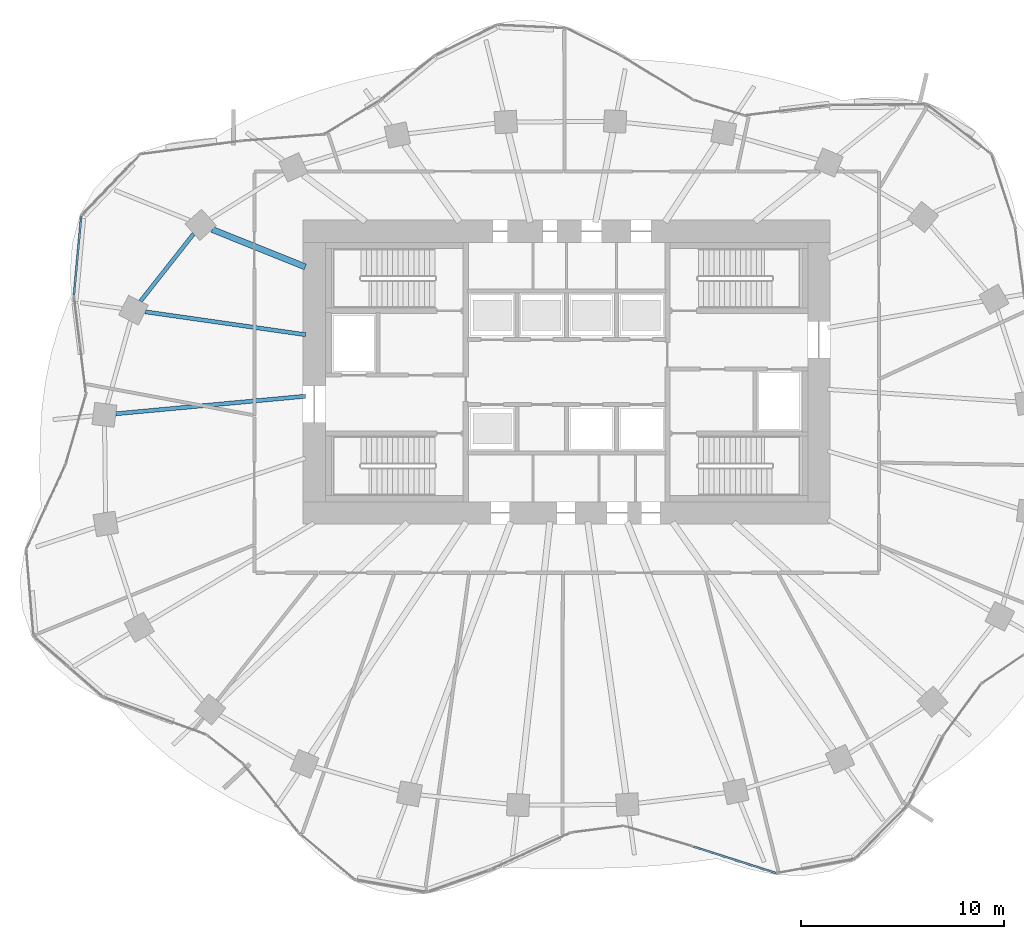
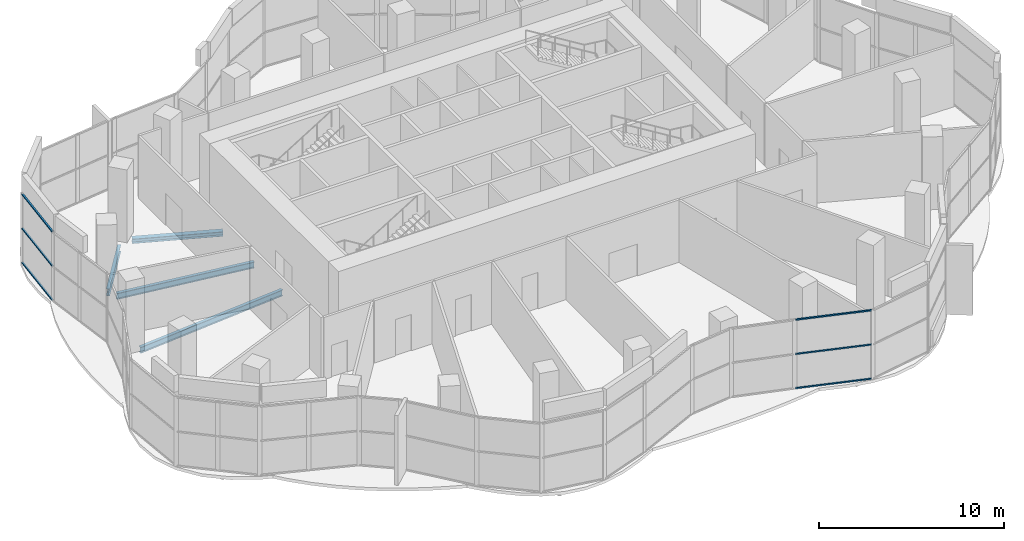
# One storey, part 4 of 16: 6 members, 4 beams, 2 elements without a shape of their own.
"""IFC4 building model written with IfcOpenShell, lengths in metres."""

from ifc_helpers import new_model, si_unit, direction, frame, origin, origin_2d, place, context, subcontext, project, spatial, rectangle, i_section, extrude, material, material_profile, profile_set, type_object, element, aggregate, save


model = new_model("IFC4")

# Units and contexts
model_context = context("Model", 3, precision=1e-05, world=origin(), true_north=direction((0.0, 1.0)))
body_context = subcontext(model_context, "Body", "Model", "MODEL_VIEW")
ifc_project = project(units=[si_unit("LENGTHUNIT", "METRE"), si_unit("AREAUNIT", "SQUARE_METRE"), si_unit("VOLUMEUNIT", "CUBIC_METRE"), si_unit("PLANEANGLEUNIT", "RADIAN"), si_unit("MASSUNIT", "GRAM", prefix="KILO")], contexts=[model_context])

# Site, building, storey
site_placement = place(None, origin())
site = spatial("IfcSite", under=ifc_project, at=site_placement, CompositionType="ELEMENT")
building_placement = place(site_placement, origin())
building = spatial("IfcBuilding", under=site, at=building_placement, Name="Rubra Terraces Tower", CompositionType="ELEMENT")
storey_placement = place(building_placement, frame((0.0, 0.0, 125.699951171875)))
storey = spatial("IfcBuildingStorey", under=building, at=storey_placement, Name="L30", CompositionType="ELEMENT", Elevation=125.699951171875)

# Beams
ifc_material_1 = material(Name="Steel Q355B", Category="steel")
ifc_material_profile_1 = material_profile(ifc_material_1, i_section(OverallWidth=0.199951171875, OverallDepth=0.39990234375, WebThickness=0.008056640625, FlangeThickness=0.012939453125, at=origin_2d()), Name="HN 400x200x8x13")
ifc_profile_set_1 = profile_set([ifc_material_profile_1], Name="Steel Q355B")
beam_type_1 = type_object("IfcBeamType", Name="FLOOR BEAM HN 400x200x8x13", PredefinedType="BEAM", material=ifc_profile_set_1)
beam_1_placement = place(storey_placement, frame((-20.7919921875, 7.471923828125, -0.39990234375), z_axis=(0.989936658262, -0.141511174924, 0.0), x_axis=(0.141511174924, 0.989936658262, 0.0)))
element("IfcBeam", 1, at=beam_1_placement, inside=storey, type_object=beam_type_1, Name="beam-L30-floor-11", PredefinedType="BEAM", context=body_context, shape_type="SweptSolid", body=[
    extrude(i_section(OverallWidth=0.199951171875, OverallDepth=0.39990234375, WebThickness=0.008056640625, FlangeThickness=0.012939453125, at=origin_2d()), origin(), (0.0, 0.0, 1.0), 7.9912109375),
])
beam_2_placement = place(storey_placement, frame((-22.240966796875, 2.44091796875, -0.39990234375), z_axis=(0.995735462061, 0.092254482791, 0.0), x_axis=(-0.092254482791, 0.995735462061, 0.0)))
element("IfcBeam", 2, at=beam_2_placement, inside=storey, type_object=beam_type_1, Name="beam-L30-floor-12", PredefinedType="BEAM", context=body_context, shape_type="SweptSolid", body=[
    extrude(i_section(OverallWidth=0.199951171875, OverallDepth=0.39990234375, WebThickness=0.008056640625, FlangeThickness=0.012939453125, at=origin_2d()), origin(), (0.0, 0.0, 1.0), 9.39990234375),
])
ifc_material_profile_2 = material_profile(ifc_material_1, i_section(OverallWidth=0.304931640625, OverallDepth=0.300048828125, WebThickness=0.014892578125, FlangeThickness=0.014892578125, at=origin_2d()), Name="HW 300x305x15x15")
ifc_profile_set_2 = profile_set([ifc_material_profile_2], Name="Steel Q355B")
beam_type_2 = type_object("IfcBeamType", Name="FLOOR BEAM HW 300x305x15x15", PredefinedType="BEAM", material=ifc_profile_set_2)
beam_3_placement = place(storey_placement, frame((-17.48193359375, 11.533935546875, -0.349853515625), z_axis=(0.927730023822, -0.373251929533, 0.0), x_axis=(0.373251929533, 0.927730023822, 0.0)))
element("IfcBeam", 3, at=beam_3_placement, inside=storey, type_object=beam_type_2, Name="beam-L30-floor-10", PredefinedType="BEAM", context=body_context, shape_type="SweptSolid", body=[
    extrude(i_section(OverallWidth=0.304931640625, OverallDepth=0.300048828125, WebThickness=0.014892578125, FlangeThickness=0.014892578125, at=origin_2d()), origin(), (0.0, 0.0, 1.0), 4.950927734375),
])
ifc_material_profile_3 = material_profile(ifc_material_1, i_section(OverallWidth=0.198974609375, OverallDepth=0.446044921875, WebThickness=0.008056640625, FlangeThickness=0.011962890625, at=origin_2d()), Name="HN 446x199x8x12")
ifc_profile_set_3 = profile_set([ifc_material_profile_3], Name="Steel Q355B")
beam_type_3 = type_object("IfcBeamType", Name="SPANDREL BEAM HN 446x199x8x12", PredefinedType="SPANDREL", material=ifc_profile_set_3)
beam_4_placement = place(storey_placement, frame((-18.39697265625, 11.323974609375, -0.4228515625), z_axis=(-0.618917461688, -0.785456030353, 0.0), x_axis=(0.785456030353, -0.618917461688, 0.0)))
element("IfcBeam", 4, at=beam_4_placement, inside=storey, type_object=beam_type_3, Name="beam-L30-spandrel-10", PredefinedType="SPANDREL", context=body_context, shape_type="SweptSolid", body=[
    extrude(i_section(OverallWidth=0.198974609375, OverallDepth=0.446044921875, WebThickness=0.008056640625, FlangeThickness=0.011962890625, at=origin_2d()), origin(), (0.0, 0.0, 1.0), 4.238037109375),
])

# Curtain wall, members
ifc_material_2 = material(Name="Aluminium and glass", Category="aluminium")
curtain_wall_type = type_object("IfcCurtainWallType", Name="Curtain wall Sky lobby glazing", PredefinedType="NOTDEFINED", material=ifc_material_2)
curtain_wall_1_placement = place(storey_placement, origin())
curtain_wall_1 = element("IfcCurtainWall", 5, at=curtain_wall_1_placement, inside=storey, type_object=curtain_wall_type, Name="L30 glazing bay 18", PredefinedType="NOTDEFINED")
ifc_material_3 = material(Name="Aluminium, anodised dark grey", Category="aluminium")
ifc_material_profile_4 = material_profile(ifc_material_3, rectangle(XDim=0.10009765625, YDim=0.080078125, at=origin_2d()), Name="AL 100x80")
ifc_profile_set_4 = profile_set([ifc_material_profile_4], Name="Aluminium, anodised dark grey")
member_type = type_object("IfcMemberType", Name="Sky lobby glazing transom 100 x 80", PredefinedType="USERDEFINED", material=ifc_profile_set_4)
member_1_placement = place(storey_placement, frame((-23.94287109375, 12.16845703125, 0.050048828125), z_axis=(-0.091830452263, -0.995774657258, 0.0), x_axis=(0.995774657258, -0.091830452263, 0.0)))
member_1 = element("IfcMember", 6, at=member_1_placement, type_object=member_type, Name="CW2 transom 1.1", ObjectType="TRANSOM", PredefinedType="USERDEFINED", context=body_context, shape_type="SweptSolid", body=[
    extrude(rectangle(XDim=0.10009765625, YDim=0.080078125, at=origin_2d()), origin(), (0.0, 0.0, 1.0), 3.876220703125),
])
member_2_placement = place(storey_placement, frame((-23.94287109375, 12.16845703125, 2.300048828125), z_axis=(-0.091830452263, -0.995774657258, 0.0), x_axis=(0.995774657258, -0.091830452263, 0.0)))
member_2 = element("IfcMember", 7, at=member_2_placement, type_object=member_type, Name="CW2 transom 1.2", ObjectType="TRANSOM", PredefinedType="USERDEFINED", context=body_context, shape_type="SweptSolid", body=[
    extrude(rectangle(XDim=0.10009765625, YDim=0.080078125, at=origin_2d()), origin(), (0.0, 0.0, 1.0), 3.876220703125),
])
member_3_placement = place(storey_placement, frame((-23.94287109375, 12.16845703125, 4.550048828125), z_axis=(-0.091830452263, -0.995774657258, 0.0), x_axis=(0.995774657258, -0.091830452263, 0.0)))
member_3 = element("IfcMember", 8, at=member_3_placement, type_object=member_type, Name="CW2 transom 1.3", ObjectType="TRANSOM", PredefinedType="USERDEFINED", context=body_context, shape_type="SweptSolid", body=[
    extrude(rectangle(XDim=0.10009765625, YDim=0.080078125, at=origin_2d()), origin(), (0.0, 0.0, 1.0), 3.876220703125),
])
aggregate(curtain_wall_1, [member_1, member_2, member_3])

curtain_wall_2_placement = place(storey_placement, origin())
curtain_wall_2 = element("IfcCurtainWall", 9, at=curtain_wall_2_placement, inside=storey, type_object=curtain_wall_type, Name="L30 glazing bay 33", PredefinedType="NOTDEFINED")
member_4_placement = place(storey_placement, frame((6.277587890625, -18.92041015625, 0.050048828125), z_axis=(0.952275412528, -0.305240132836, 0.0), x_axis=(0.305240132836, 0.952275412528, 0.0)))
member_4 = element("IfcMember", 10, at=member_4_placement, type_object=member_type, Name="CW2 transom 1.1", ObjectType="TRANSOM", PredefinedType="USERDEFINED", context=body_context, shape_type="SweptSolid", body=[
    extrude(rectangle(XDim=0.10009765625, YDim=0.080078125, at=origin_2d()), origin(), (0.0, 0.0, 1.0), 4.234375),
])
member_5_placement = place(storey_placement, frame((6.277587890625, -18.92041015625, 2.300048828125), z_axis=(0.952275412528, -0.305240132836, 0.0), x_axis=(0.305240132836, 0.952275412528, 0.0)))
member_5 = element("IfcMember", 11, at=member_5_placement, type_object=member_type, Name="CW2 transom 1.2", ObjectType="TRANSOM", PredefinedType="USERDEFINED", context=body_context, shape_type="SweptSolid", body=[
    extrude(rectangle(XDim=0.10009765625, YDim=0.080078125, at=origin_2d()), origin(), (0.0, 0.0, 1.0), 4.234375),
])
member_6_placement = place(storey_placement, frame((6.277587890625, -18.92041015625, 4.550048828125), z_axis=(0.952275412528, -0.305240132836, 0.0), x_axis=(0.305240132836, 0.952275412528, 0.0)))
member_6 = element("IfcMember", 12, at=member_6_placement, type_object=member_type, Name="CW2 transom 1.3", ObjectType="TRANSOM", PredefinedType="USERDEFINED", context=body_context, shape_type="SweptSolid", body=[
    extrude(rectangle(XDim=0.10009765625, YDim=0.080078125, at=origin_2d()), origin(), (0.0, 0.0, 1.0), 4.234375),
])
aggregate(curtain_wall_2, [member_4, member_5, member_6])

save(model, "model.ifc")
